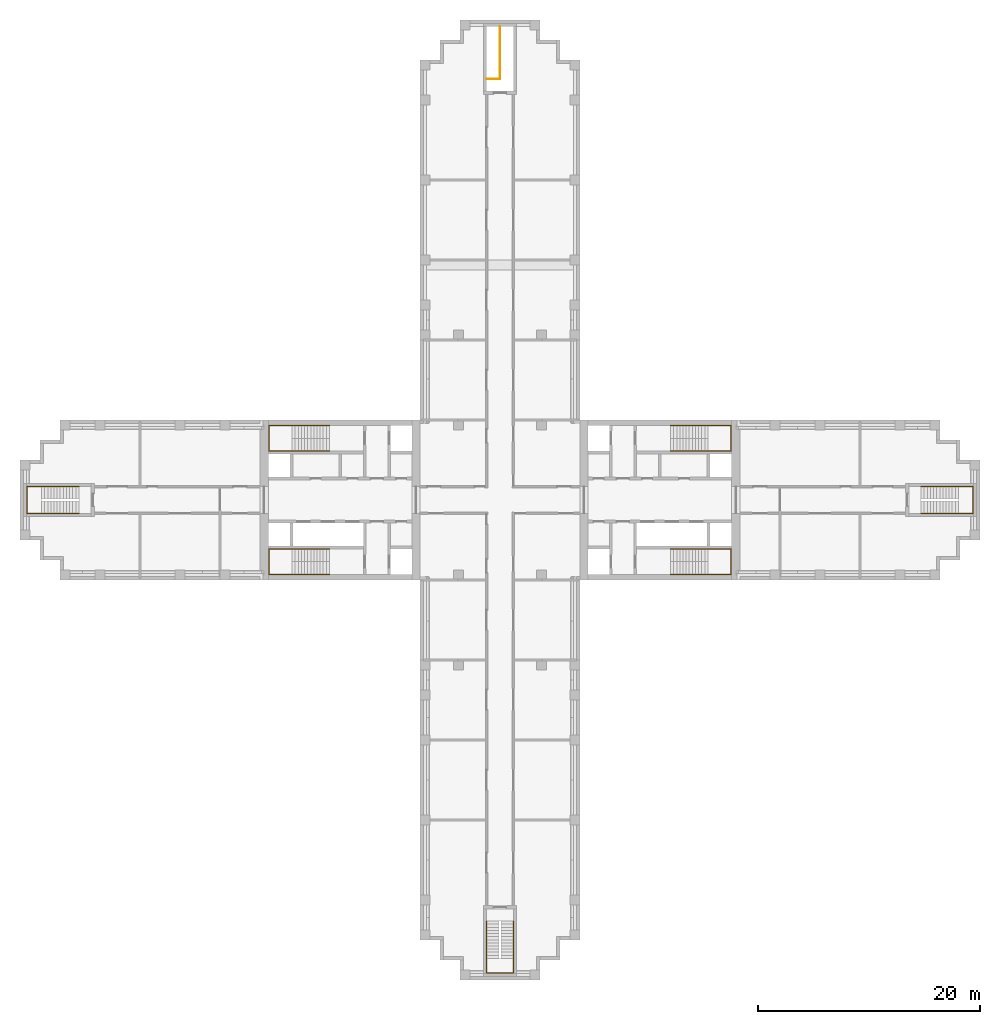
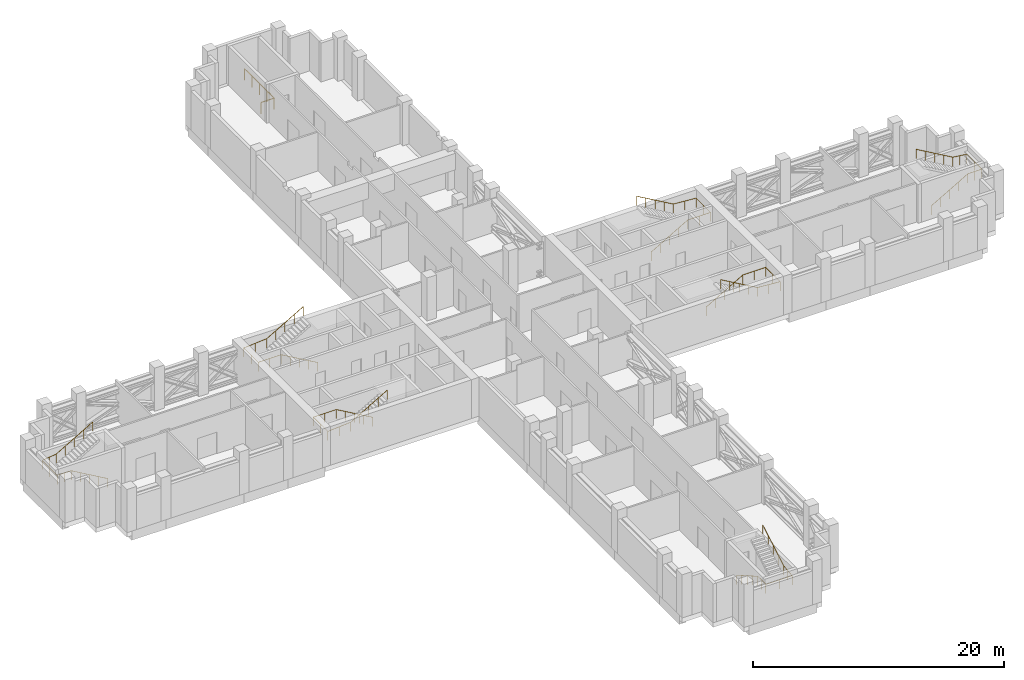
# One storey, part 10 of 10: 8 railings.
"""IFC4 building model written with IfcOpenShell, lengths in metres."""

from ifc_helpers import new_model, si_unit, direction, frame, origin, origin_2d, place, context, subcontext, project, spatial, circle, extrude, material, type_object, element, save


model = new_model("IFC4")

# Units and contexts
model_context = context("Model", 3, precision=1e-05, world=origin(), true_north=direction((0.0, 1.0)))
body_context = subcontext(model_context, "Body", "Model", "MODEL_VIEW")
ifc_project = project(units=[si_unit("LENGTHUNIT", "METRE"), si_unit("AREAUNIT", "SQUARE_METRE"), si_unit("VOLUMEUNIT", "CUBIC_METRE"), si_unit("PLANEANGLEUNIT", "RADIAN"), si_unit("MASSUNIT", "GRAM", prefix="KILO")], contexts=[model_context])

# Site, building, storey
site_placement = place(None, origin())
site = spatial("IfcSite", under=ifc_project, at=site_placement, CompositionType="ELEMENT")
building_placement = place(site_placement, origin())
building = spatial("IfcBuilding", under=site, at=building_placement, Name="Fustian Cross Tower", CompositionType="ELEMENT")
storey_placement = place(building_placement, frame((0.0, 0.0, 62.699951171875)))
storey = spatial("IfcBuildingStorey", under=building, at=storey_placement, Name="L19", CompositionType="ELEMENT", Elevation=62.699951171875)

# Railings
ifc_material_1 = material(Name="Stainless steel", Category="steel")
railing_type_1 = type_object("IfcRailingType", Name="STAIR GUARD", PredefinedType="GUARDRAIL", material=ifc_material_1)
railing_1_placement = place(storey_placement, frame((-1.199951171875, 37.89990234375, 0.0)))
element("IfcRailing", 1, at=railing_1_placement, inside=storey, type_object=railing_type_1, Name="Stair ST5 guard", PredefinedType="GUARDRAIL", context=body_context, shape_type="SweptSolid", body=[
    extrude(circle(Radius=0.02490234375, at=origin_2d()), frame((0.0, 0.0, 1.0751953125), z_axis=(1.0, 0.0, 0.0), x_axis=(0.0, 1.0, 0.0)), (0.0, 0.0, 1.0), 1.199951171875),
    extrude(circle(Radius=0.02490234375, at=origin_2d()), frame((1.199951171875, 0.0, 1.0751953125), z_axis=(0.0, 1.0, 0.0), x_axis=(-1.0, 0.0, 0.0)), (0.0, 0.0, 1.0), 4.7001953125),
    extrude(circle(Radius=0.02001953125, at=origin_2d()), origin(), (0.0, 0.0, 1.0), 1.050048828125),
    extrude(circle(Radius=0.02001953125, at=origin_2d()), frame((1.199951171875, 0.0, 0.0)), (0.0, 0.0, 1.0), 1.050048828125),
    extrude(circle(Radius=0.02001953125, at=origin_2d()), frame((1.199951171875, 1.175048828125, 0.0)), (0.0, 0.0, 1.0), 1.050048828125),
    extrude(circle(Radius=0.02001953125, at=origin_2d()), frame((1.199951171875, 2.35009765625, 0.0)), (0.0, 0.0, 1.0), 1.050048828125),
    extrude(circle(Radius=0.02001953125, at=origin_2d()), frame((1.199951171875, 3.525146484375, 0.0)), (0.0, 0.0, 1.0), 1.050048828125),
    extrude(circle(Radius=0.02001953125, at=origin_2d()), frame((1.199951171875, 4.7001953125, 0.0)), (0.0, 0.0, 1.0), 1.050048828125),
])
ifc_material_2 = material(Name="Stainless steel", Category="steel")
railing_type_2 = type_object("IfcRailingType", Name="STAIR HANDRAIL", PredefinedType="HANDRAIL", material=ifc_material_2)
railing_2_placement = place(storey_placement, frame((15.35009765625, 4.39990234375, 0.16162109375)))
element("IfcRailing", 2, at=railing_2_placement, inside=storey, type_object=railing_type_2, Name="Stair ST1 handrail 1", PredefinedType="HANDRAIL", context=body_context, shape_type="SweptSolid", body=[
    extrude(circle(Radius=0.02490234375, at=origin_2d()), frame((0.0, 0.0, 0.875), z_axis=(0.866175107563, 0.0, 0.499740615757), x_axis=(0.0, 1.0, 0.0)), (0.0, 0.0, 1.0), 3.87890625),
    extrude(circle(Radius=0.02490234375, at=origin_2d()), frame((3.35986328125, 0.0, 2.8134765625), z_axis=(1.0, 0.0, 0.0), x_axis=(0.0, 1.0, 0.0)), (0.0, 0.0, 1.0), 2.10009765625),
    extrude(circle(Radius=0.02490234375, at=origin_2d()), frame((5.4599609375, 0.0, 2.8134765625), z_axis=(0.0, 1.0, 0.0), x_axis=(-1.0, 0.0, 0.0)), (0.0, 0.0, 1.0), 2.300048828125),
    extrude(circle(Radius=0.02490234375, at=origin_2d()), frame((5.4599609375, 2.300048828125, 2.8134765625), z_axis=(-0.997060618739, 0.0, 0.076616725062), x_axis=(0.0, -1.0, 0.0)), (0.0, 0.0, 1.0), 2.106201171875),
    extrude(circle(Radius=0.02490234375, at=origin_2d()), frame((3.35986328125, 2.300048828125, 2.974609375), z_axis=(-0.866175107563, 0.0, 0.499740615757), x_axis=(0.0, -1.0, 0.0)), (0.0, 0.0, 1.0), 3.87890625),
    extrude(circle(Radius=0.02001953125, at=origin_2d()), origin(), (0.0, 0.0, 1.0), 0.849853515625),
    extrude(circle(Radius=0.02001953125, at=origin_2d()), frame((0.83984375, 0.0, 0.484619140625)), (0.0, 0.0, 1.0), 0.849853515625),
    extrude(circle(Radius=0.02001953125, at=origin_2d()), frame((1.679931640625, 0.0, 0.96923828125)), (0.0, 0.0, 1.0), 0.849853515625),
    extrude(circle(Radius=0.02001953125, at=origin_2d()), frame((2.52001953125, 0.0, 1.453857421875)), (0.0, 0.0, 1.0), 0.849853515625),
    extrude(circle(Radius=0.02001953125, at=origin_2d()), frame((3.35986328125, 0.0, 1.9384765625)), (0.0, 0.0, 1.0), 0.849853515625),
    extrude(circle(Radius=0.02001953125, at=origin_2d()), frame((4.409912109375, 0.0, 1.9384765625)), (0.0, 0.0, 1.0), 0.849853515625),
    extrude(circle(Radius=0.02001953125, at=origin_2d()), frame((5.4599609375, 0.0, 1.9384765625)), (0.0, 0.0, 1.0), 0.849853515625),
    extrude(circle(Radius=0.02001953125, at=origin_2d()), frame((5.4599609375, 1.14990234375, 1.9384765625)), (0.0, 0.0, 1.0), 0.849853515625),
    extrude(circle(Radius=0.02001953125, at=origin_2d()), frame((5.4599609375, 2.300048828125, 1.9384765625)), (0.0, 0.0, 1.0), 0.849853515625),
    extrude(circle(Radius=0.02001953125, at=origin_2d()), frame((4.409912109375, 2.300048828125, 2.01904296875)), (0.0, 0.0, 1.0), 0.849853515625),
    extrude(circle(Radius=0.02001953125, at=origin_2d()), frame((3.35986328125, 2.300048828125, 2.099853515625)), (0.0, 0.0, 1.0), 0.849853515625),
    extrude(circle(Radius=0.02001953125, at=origin_2d()), frame((2.52001953125, 2.300048828125, 2.58447265625)), (0.0, 0.0, 1.0), 0.849853515625),
    extrude(circle(Radius=0.02001953125, at=origin_2d()), frame((1.679931640625, 2.300048828125, 3.069091796875)), (0.0, 0.0, 1.0), 0.849853515625),
    extrude(circle(Radius=0.02001953125, at=origin_2d()), frame((0.83984375, 2.300048828125, 3.5537109375)), (0.0, 0.0, 1.0), 0.849853515625),
    extrude(circle(Radius=0.02001953125, at=origin_2d()), frame((0.0, 2.300048828125, 4.038330078125)), (0.0, 0.0, 1.0), 0.849853515625),
])
railing_3_placement = place(storey_placement, frame((15.35009765625, -4.39990234375, 0.16162109375)))
element("IfcRailing", 3, at=railing_3_placement, inside=storey, type_object=railing_type_2, Name="Stair ST2 handrail 1", PredefinedType="HANDRAIL", context=body_context, shape_type="SweptSolid", body=[
    extrude(circle(Radius=0.02490234375, at=origin_2d()), frame((0.0, 0.0, 0.875), z_axis=(0.866175107563, 0.0, 0.499740615757), x_axis=(0.0, 1.0, 0.0)), (0.0, 0.0, 1.0), 3.87890625),
    extrude(circle(Radius=0.02490234375, at=origin_2d()), frame((3.35986328125, 0.0, 2.8134765625), z_axis=(1.0, 0.0, 0.0), x_axis=(0.0, 1.0, 0.0)), (0.0, 0.0, 1.0), 2.10009765625),
    extrude(circle(Radius=0.02490234375, at=origin_2d()), frame((5.4599609375, 0.0, 2.8134765625), z_axis=(0.0, -1.0, 0.0), x_axis=(1.0, 0.0, 0.0)), (0.0, 0.0, 1.0), 2.300048828125),
    extrude(circle(Radius=0.02490234375, at=origin_2d()), frame((5.4599609375, -2.300048828125, 2.8134765625), z_axis=(-0.997060618739, 0.0, 0.076616725062), x_axis=(0.0, -1.0, 0.0)), (0.0, 0.0, 1.0), 2.106201171875),
    extrude(circle(Radius=0.02490234375, at=origin_2d()), frame((3.35986328125, -2.300048828125, 2.974609375), z_axis=(-0.866175107563, 0.0, 0.499740615757), x_axis=(0.0, -1.0, 0.0)), (0.0, 0.0, 1.0), 3.87890625),
    extrude(circle(Radius=0.02001953125, at=origin_2d()), origin(), (0.0, 0.0, 1.0), 0.849853515625),
    extrude(circle(Radius=0.02001953125, at=origin_2d()), frame((0.83984375, 0.0, 0.484619140625)), (0.0, 0.0, 1.0), 0.849853515625),
    extrude(circle(Radius=0.02001953125, at=origin_2d()), frame((1.679931640625, 0.0, 0.96923828125)), (0.0, 0.0, 1.0), 0.849853515625),
    extrude(circle(Radius=0.02001953125, at=origin_2d()), frame((2.52001953125, 0.0, 1.453857421875)), (0.0, 0.0, 1.0), 0.849853515625),
    extrude(circle(Radius=0.02001953125, at=origin_2d()), frame((3.35986328125, 0.0, 1.9384765625)), (0.0, 0.0, 1.0), 0.849853515625),
    extrude(circle(Radius=0.02001953125, at=origin_2d()), frame((4.409912109375, 0.0, 1.9384765625)), (0.0, 0.0, 1.0), 0.849853515625),
    extrude(circle(Radius=0.02001953125, at=origin_2d()), frame((5.4599609375, 0.0, 1.9384765625)), (0.0, 0.0, 1.0), 0.849853515625),
    extrude(circle(Radius=0.02001953125, at=origin_2d()), frame((5.4599609375, -1.14990234375, 1.9384765625)), (0.0, 0.0, 1.0), 0.849853515625),
    extrude(circle(Radius=0.02001953125, at=origin_2d()), frame((5.4599609375, -2.300048828125, 1.9384765625)), (0.0, 0.0, 1.0), 0.849853515625),
    extrude(circle(Radius=0.02001953125, at=origin_2d()), frame((4.409912109375, -2.300048828125, 2.01904296875)), (0.0, 0.0, 1.0), 0.849853515625),
    extrude(circle(Radius=0.02001953125, at=origin_2d()), frame((3.35986328125, -2.300048828125, 2.099853515625)), (0.0, 0.0, 1.0), 0.849853515625),
    extrude(circle(Radius=0.02001953125, at=origin_2d()), frame((2.52001953125, -2.300048828125, 2.58447265625)), (0.0, 0.0, 1.0), 0.849853515625),
    extrude(circle(Radius=0.02001953125, at=origin_2d()), frame((1.679931640625, -2.300048828125, 3.069091796875)), (0.0, 0.0, 1.0), 0.849853515625),
    extrude(circle(Radius=0.02001953125, at=origin_2d()), frame((0.83984375, -2.300048828125, 3.5537109375)), (0.0, 0.0, 1.0), 0.849853515625),
    extrude(circle(Radius=0.02001953125, at=origin_2d()), frame((0.0, -2.300048828125, 4.038330078125)), (0.0, 0.0, 1.0), 0.849853515625),
])
railing_4_placement = place(storey_placement, frame((-15.35009765625, 4.39990234375, 0.16162109375)))
element("IfcRailing", 4, at=railing_4_placement, inside=storey, type_object=railing_type_2, Name="Stair ST3 handrail 1", PredefinedType="HANDRAIL", context=body_context, shape_type="SweptSolid", body=[
    extrude(circle(Radius=0.02490234375, at=origin_2d()), frame((0.0, 0.0, 0.875), z_axis=(-0.866175107563, 0.0, 0.499740615757), x_axis=(0.0, -1.0, 0.0)), (0.0, 0.0, 1.0), 3.87890625),
    extrude(circle(Radius=0.02490234375, at=origin_2d()), frame((-3.35986328125, 0.0, 2.8134765625), z_axis=(-1.0, 0.0, 0.0), x_axis=(0.0, -1.0, 0.0)), (0.0, 0.0, 1.0), 2.10009765625),
    extrude(circle(Radius=0.02490234375, at=origin_2d()), frame((-5.4599609375, 0.0, 2.8134765625), z_axis=(0.0, 1.0, 0.0), x_axis=(-1.0, 0.0, 0.0)), (0.0, 0.0, 1.0), 2.300048828125),
    extrude(circle(Radius=0.02490234375, at=origin_2d()), frame((-5.4599609375, 2.300048828125, 2.8134765625), z_axis=(0.997060618739, 0.0, 0.076616725062), x_axis=(0.0, 1.0, 0.0)), (0.0, 0.0, 1.0), 2.106201171875),
    extrude(circle(Radius=0.02490234375, at=origin_2d()), frame((-3.35986328125, 2.300048828125, 2.974609375), z_axis=(0.866175107563, 0.0, 0.499740615757), x_axis=(0.0, 1.0, 0.0)), (0.0, 0.0, 1.0), 3.87890625),
    extrude(circle(Radius=0.02001953125, at=origin_2d()), origin(), (0.0, 0.0, 1.0), 0.849853515625),
    extrude(circle(Radius=0.02001953125, at=origin_2d()), frame((-0.83984375, 0.0, 0.484619140625)), (0.0, 0.0, 1.0), 0.849853515625),
    extrude(circle(Radius=0.02001953125, at=origin_2d()), frame((-1.679931640625, 0.0, 0.96923828125)), (0.0, 0.0, 1.0), 0.849853515625),
    extrude(circle(Radius=0.02001953125, at=origin_2d()), frame((-2.52001953125, 0.0, 1.453857421875)), (0.0, 0.0, 1.0), 0.849853515625),
    extrude(circle(Radius=0.02001953125, at=origin_2d()), frame((-3.35986328125, 0.0, 1.9384765625)), (0.0, 0.0, 1.0), 0.849853515625),
    extrude(circle(Radius=0.02001953125, at=origin_2d()), frame((-4.409912109375, 0.0, 1.9384765625)), (0.0, 0.0, 1.0), 0.849853515625),
    extrude(circle(Radius=0.02001953125, at=origin_2d()), frame((-5.4599609375, 0.0, 1.9384765625)), (0.0, 0.0, 1.0), 0.849853515625),
    extrude(circle(Radius=0.02001953125, at=origin_2d()), frame((-5.4599609375, 1.14990234375, 1.9384765625)), (0.0, 0.0, 1.0), 0.849853515625),
    extrude(circle(Radius=0.02001953125, at=origin_2d()), frame((-5.4599609375, 2.300048828125, 1.9384765625)), (0.0, 0.0, 1.0), 0.849853515625),
    extrude(circle(Radius=0.02001953125, at=origin_2d()), frame((-4.409912109375, 2.300048828125, 2.01904296875)), (0.0, 0.0, 1.0), 0.849853515625),
    extrude(circle(Radius=0.02001953125, at=origin_2d()), frame((-3.35986328125, 2.300048828125, 2.099853515625)), (0.0, 0.0, 1.0), 0.849853515625),
    extrude(circle(Radius=0.02001953125, at=origin_2d()), frame((-2.52001953125, 2.300048828125, 2.58447265625)), (0.0, 0.0, 1.0), 0.849853515625),
    extrude(circle(Radius=0.02001953125, at=origin_2d()), frame((-1.679931640625, 2.300048828125, 3.069091796875)), (0.0, 0.0, 1.0), 0.849853515625),
    extrude(circle(Radius=0.02001953125, at=origin_2d()), frame((-0.83984375, 2.300048828125, 3.5537109375)), (0.0, 0.0, 1.0), 0.849853515625),
    extrude(circle(Radius=0.02001953125, at=origin_2d()), frame((0.0, 2.300048828125, 4.038330078125)), (0.0, 0.0, 1.0), 0.849853515625),
])
railing_5_placement = place(storey_placement, frame((-15.35009765625, -4.39990234375, 0.16162109375)))
element("IfcRailing", 5, at=railing_5_placement, inside=storey, type_object=railing_type_2, Name="Stair ST4 handrail 1", PredefinedType="HANDRAIL", context=body_context, shape_type="SweptSolid", body=[
    extrude(circle(Radius=0.02490234375, at=origin_2d()), frame((0.0, 0.0, 0.875), z_axis=(-0.866175107563, 0.0, 0.499740615757), x_axis=(0.0, -1.0, 0.0)), (0.0, 0.0, 1.0), 3.87890625),
    extrude(circle(Radius=0.02490234375, at=origin_2d()), frame((-3.35986328125, 0.0, 2.8134765625), z_axis=(-1.0, 0.0, 0.0), x_axis=(0.0, -1.0, 0.0)), (0.0, 0.0, 1.0), 2.10009765625),
    extrude(circle(Radius=0.02490234375, at=origin_2d()), frame((-5.4599609375, 0.0, 2.8134765625), z_axis=(0.0, -1.0, 0.0), x_axis=(1.0, 0.0, 0.0)), (0.0, 0.0, 1.0), 2.300048828125),
    extrude(circle(Radius=0.02490234375, at=origin_2d()), frame((-5.4599609375, -2.300048828125, 2.8134765625), z_axis=(0.997060618739, 0.0, 0.076616725062), x_axis=(0.0, 1.0, 0.0)), (0.0, 0.0, 1.0), 2.106201171875),
    extrude(circle(Radius=0.02490234375, at=origin_2d()), frame((-3.35986328125, -2.300048828125, 2.974609375), z_axis=(0.866175107563, 0.0, 0.499740615757), x_axis=(0.0, 1.0, 0.0)), (0.0, 0.0, 1.0), 3.87890625),
    extrude(circle(Radius=0.02001953125, at=origin_2d()), origin(), (0.0, 0.0, 1.0), 0.849853515625),
    extrude(circle(Radius=0.02001953125, at=origin_2d()), frame((-0.83984375, 0.0, 0.484619140625)), (0.0, 0.0, 1.0), 0.849853515625),
    extrude(circle(Radius=0.02001953125, at=origin_2d()), frame((-1.679931640625, 0.0, 0.96923828125)), (0.0, 0.0, 1.0), 0.849853515625),
    extrude(circle(Radius=0.02001953125, at=origin_2d()), frame((-2.52001953125, 0.0, 1.453857421875)), (0.0, 0.0, 1.0), 0.849853515625),
    extrude(circle(Radius=0.02001953125, at=origin_2d()), frame((-3.35986328125, 0.0, 1.9384765625)), (0.0, 0.0, 1.0), 0.849853515625),
    extrude(circle(Radius=0.02001953125, at=origin_2d()), frame((-4.409912109375, 0.0, 1.9384765625)), (0.0, 0.0, 1.0), 0.849853515625),
    extrude(circle(Radius=0.02001953125, at=origin_2d()), frame((-5.4599609375, 0.0, 1.9384765625)), (0.0, 0.0, 1.0), 0.849853515625),
    extrude(circle(Radius=0.02001953125, at=origin_2d()), frame((-5.4599609375, -1.14990234375, 1.9384765625)), (0.0, 0.0, 1.0), 0.849853515625),
    extrude(circle(Radius=0.02001953125, at=origin_2d()), frame((-5.4599609375, -2.300048828125, 1.9384765625)), (0.0, 0.0, 1.0), 0.849853515625),
    extrude(circle(Radius=0.02001953125, at=origin_2d()), frame((-4.409912109375, -2.300048828125, 2.01904296875)), (0.0, 0.0, 1.0), 0.849853515625),
    extrude(circle(Radius=0.02001953125, at=origin_2d()), frame((-3.35986328125, -2.300048828125, 2.099853515625)), (0.0, 0.0, 1.0), 0.849853515625),
    extrude(circle(Radius=0.02001953125, at=origin_2d()), frame((-2.52001953125, -2.300048828125, 2.58447265625)), (0.0, 0.0, 1.0), 0.849853515625),
    extrude(circle(Radius=0.02001953125, at=origin_2d()), frame((-1.679931640625, -2.300048828125, 3.069091796875)), (0.0, 0.0, 1.0), 0.849853515625),
    extrude(circle(Radius=0.02001953125, at=origin_2d()), frame((-0.83984375, -2.300048828125, 3.5537109375)), (0.0, 0.0, 1.0), 0.849853515625),
    extrude(circle(Radius=0.02001953125, at=origin_2d()), frame((0.0, -2.300048828125, 4.038330078125)), (0.0, 0.0, 1.0), 0.849853515625),
])
railing_6_placement = place(storey_placement, frame((-1.199951171875, -37.89990234375, 0.16162109375)))
element("IfcRailing", 6, at=railing_6_placement, inside=storey, type_object=railing_type_2, Name="Stair ST6 handrail 1", PredefinedType="HANDRAIL", context=body_context, shape_type="SweptSolid", body=[
    extrude(circle(Radius=0.02490234375, at=origin_2d()), frame((0.0, 0.0, 0.875), z_axis=(0.0, -0.866190824863, 0.499713372768), x_axis=(1.0, 0.0, 0.0)), (0.0, 0.0, 1.0), 3.879150390625),
    extrude(circle(Radius=0.02490234375, at=origin_2d()), frame((0.0, -3.360107421875, 2.8134765625), z_axis=(0.0, -1.0, 0.0), x_axis=(1.0, 0.0, 0.0)), (0.0, 0.0, 1.0), 1.300048828125),
    extrude(circle(Radius=0.02490234375, at=origin_2d()), frame((0.0, -4.66015625, 2.8134765625), z_axis=(1.0, 0.0, 0.0), x_axis=(0.0, 1.0, 0.0)), (0.0, 0.0, 1.0), 2.39990234375),
    extrude(circle(Radius=0.02490234375, at=origin_2d()), frame((2.39990234375, -4.66015625, 2.8134765625), z_axis=(0.0, 0.992383597412, 0.123186020261), x_axis=(-1.0, 0.0, 0.0)), (0.0, 0.0, 1.0), 1.31005859375),
    extrude(circle(Radius=0.02490234375, at=origin_2d()), frame((2.39990234375, -3.360107421875, 2.974609375), z_axis=(0.0, 0.866190824863, 0.499713372768), x_axis=(-1.0, 0.0, 0.0)), (0.0, 0.0, 1.0), 3.879150390625),
    extrude(circle(Radius=0.02001953125, at=origin_2d()), origin(), (0.0, 0.0, 1.0), 0.849853515625),
    extrude(circle(Radius=0.02001953125, at=origin_2d()), frame((0.0, -0.840087890625, 0.484619140625)), (0.0, 0.0, 1.0), 0.849853515625),
    extrude(circle(Radius=0.02001953125, at=origin_2d()), frame((0.0, -1.68017578125, 0.96923828125)), (0.0, 0.0, 1.0), 0.849853515625),
    extrude(circle(Radius=0.02001953125, at=origin_2d()), frame((0.0, -2.52001953125, 1.453857421875)), (0.0, 0.0, 1.0), 0.849853515625),
    extrude(circle(Radius=0.02001953125, at=origin_2d()), frame((0.0, -3.360107421875, 1.9384765625)), (0.0, 0.0, 1.0), 0.849853515625),
    extrude(circle(Radius=0.02001953125, at=origin_2d()), frame((0.0, -4.01025390625, 1.9384765625)), (0.0, 0.0, 1.0), 0.849853515625),
    extrude(circle(Radius=0.02001953125, at=origin_2d()), frame((0.0, -4.66015625, 1.9384765625)), (0.0, 0.0, 1.0), 0.849853515625),
    extrude(circle(Radius=0.02001953125, at=origin_2d()), frame((1.199951171875, -4.66015625, 1.9384765625)), (0.0, 0.0, 1.0), 0.849853515625),
    extrude(circle(Radius=0.02001953125, at=origin_2d()), frame((2.39990234375, -4.66015625, 1.9384765625)), (0.0, 0.0, 1.0), 0.849853515625),
    extrude(circle(Radius=0.02001953125, at=origin_2d()), frame((2.39990234375, -4.01025390625, 2.01904296875)), (0.0, 0.0, 1.0), 0.849853515625),
    extrude(circle(Radius=0.02001953125, at=origin_2d()), frame((2.39990234375, -3.360107421875, 2.099853515625)), (0.0, 0.0, 1.0), 0.849853515625),
    extrude(circle(Radius=0.02001953125, at=origin_2d()), frame((2.39990234375, -2.52001953125, 2.58447265625)), (0.0, 0.0, 1.0), 0.849853515625),
    extrude(circle(Radius=0.02001953125, at=origin_2d()), frame((2.39990234375, -1.68017578125, 3.069091796875)), (0.0, 0.0, 1.0), 0.849853515625),
    extrude(circle(Radius=0.02001953125, at=origin_2d()), frame((2.39990234375, -0.840087890625, 3.5537109375)), (0.0, 0.0, 1.0), 0.849853515625),
    extrude(circle(Radius=0.02001953125, at=origin_2d()), frame((2.39990234375, 0.0, 4.038330078125)), (0.0, 0.0, 1.0), 0.849853515625),
])
railing_7_placement = place(storey_placement, frame((37.89990234375, -1.199951171875, 0.16162109375)))
element("IfcRailing", 7, at=railing_7_placement, inside=storey, type_object=railing_type_2, Name="Stair ST8 handrail 1", PredefinedType="HANDRAIL", context=body_context, shape_type="SweptSolid", body=[
    extrude(circle(Radius=0.02490234375, at=origin_2d()), frame((0.0, 0.0, 0.875), z_axis=(0.866190824863, 0.0, 0.499713372768), x_axis=(0.0, 1.0, 0.0)), (0.0, 0.0, 1.0), 3.879150390625),
    extrude(circle(Radius=0.02490234375, at=origin_2d()), frame((3.360107421875, 0.0, 2.8134765625), z_axis=(1.0, 0.0, 0.0), x_axis=(0.0, 1.0, 0.0)), (0.0, 0.0, 1.0), 1.300048828125),
    extrude(circle(Radius=0.02490234375, at=origin_2d()), frame((4.66015625, 0.0, 2.8134765625), z_axis=(0.0, 1.0, 0.0), x_axis=(-1.0, 0.0, 0.0)), (0.0, 0.0, 1.0), 2.39990234375),
    extrude(circle(Radius=0.02490234375, at=origin_2d()), frame((4.66015625, 2.39990234375, 2.8134765625), z_axis=(-0.992383597412, 0.0, 0.123186020261), x_axis=(0.0, -1.0, 0.0)), (0.0, 0.0, 1.0), 1.31005859375),
    extrude(circle(Radius=0.02490234375, at=origin_2d()), frame((3.360107421875, 2.39990234375, 2.974609375), z_axis=(-0.866190824863, 0.0, 0.499713372768), x_axis=(0.0, -1.0, 0.0)), (0.0, 0.0, 1.0), 3.879150390625),
    extrude(circle(Radius=0.02001953125, at=origin_2d()), origin(), (0.0, 0.0, 1.0), 0.849853515625),
    extrude(circle(Radius=0.02001953125, at=origin_2d()), frame((0.840087890625, 0.0, 0.484619140625)), (0.0, 0.0, 1.0), 0.849853515625),
    extrude(circle(Radius=0.02001953125, at=origin_2d()), frame((1.68017578125, 0.0, 0.96923828125)), (0.0, 0.0, 1.0), 0.849853515625),
    extrude(circle(Radius=0.02001953125, at=origin_2d()), frame((2.52001953125, 0.0, 1.453857421875)), (0.0, 0.0, 1.0), 0.849853515625),
    extrude(circle(Radius=0.02001953125, at=origin_2d()), frame((3.360107421875, 0.0, 1.9384765625)), (0.0, 0.0, 1.0), 0.849853515625),
    extrude(circle(Radius=0.02001953125, at=origin_2d()), frame((4.01025390625, 0.0, 1.9384765625)), (0.0, 0.0, 1.0), 0.849853515625),
    extrude(circle(Radius=0.02001953125, at=origin_2d()), frame((4.66015625, 0.0, 1.9384765625)), (0.0, 0.0, 1.0), 0.849853515625),
    extrude(circle(Radius=0.02001953125, at=origin_2d()), frame((4.66015625, 1.199951171875, 1.9384765625)), (0.0, 0.0, 1.0), 0.849853515625),
    extrude(circle(Radius=0.02001953125, at=origin_2d()), frame((4.66015625, 2.39990234375, 1.9384765625)), (0.0, 0.0, 1.0), 0.849853515625),
    extrude(circle(Radius=0.02001953125, at=origin_2d()), frame((4.01025390625, 2.39990234375, 2.01904296875)), (0.0, 0.0, 1.0), 0.849853515625),
    extrude(circle(Radius=0.02001953125, at=origin_2d()), frame((3.360107421875, 2.39990234375, 2.099853515625)), (0.0, 0.0, 1.0), 0.849853515625),
    extrude(circle(Radius=0.02001953125, at=origin_2d()), frame((2.52001953125, 2.39990234375, 2.58447265625)), (0.0, 0.0, 1.0), 0.849853515625),
    extrude(circle(Radius=0.02001953125, at=origin_2d()), frame((1.68017578125, 2.39990234375, 3.069091796875)), (0.0, 0.0, 1.0), 0.849853515625),
    extrude(circle(Radius=0.02001953125, at=origin_2d()), frame((0.840087890625, 2.39990234375, 3.5537109375)), (0.0, 0.0, 1.0), 0.849853515625),
    extrude(circle(Radius=0.02001953125, at=origin_2d()), frame((0.0, 2.39990234375, 4.038330078125)), (0.0, 0.0, 1.0), 0.849853515625),
])
railing_8_placement = place(storey_placement, frame((-37.89990234375, -1.199951171875, 0.16162109375)))
element("IfcRailing", 8, at=railing_8_placement, inside=storey, type_object=railing_type_2, Name="Stair ST9 handrail 1", PredefinedType="HANDRAIL", context=body_context, shape_type="SweptSolid", body=[
    extrude(circle(Radius=0.02490234375, at=origin_2d()), frame((0.0, 0.0, 0.875), z_axis=(-0.866190824863, 0.0, 0.499713372768), x_axis=(0.0, -1.0, 0.0)), (0.0, 0.0, 1.0), 3.879150390625),
    extrude(circle(Radius=0.02490234375, at=origin_2d()), frame((-3.360107421875, 0.0, 2.8134765625), z_axis=(-1.0, 0.0, 0.0), x_axis=(0.0, -1.0, 0.0)), (0.0, 0.0, 1.0), 1.300048828125),
    extrude(circle(Radius=0.02490234375, at=origin_2d()), frame((-4.66015625, 0.0, 2.8134765625), z_axis=(0.0, 1.0, 0.0), x_axis=(-1.0, 0.0, 0.0)), (0.0, 0.0, 1.0), 2.39990234375),
    extrude(circle(Radius=0.02490234375, at=origin_2d()), frame((-4.66015625, 2.39990234375, 2.8134765625), z_axis=(0.992383597412, 0.0, 0.123186020261), x_axis=(0.0, 1.0, 0.0)), (0.0, 0.0, 1.0), 1.31005859375),
    extrude(circle(Radius=0.02490234375, at=origin_2d()), frame((-3.360107421875, 2.39990234375, 2.974609375), z_axis=(0.866190824863, 0.0, 0.499713372768), x_axis=(0.0, 1.0, 0.0)), (0.0, 0.0, 1.0), 3.879150390625),
    extrude(circle(Radius=0.02001953125, at=origin_2d()), origin(), (0.0, 0.0, 1.0), 0.849853515625),
    extrude(circle(Radius=0.02001953125, at=origin_2d()), frame((-0.840087890625, 0.0, 0.484619140625)), (0.0, 0.0, 1.0), 0.849853515625),
    extrude(circle(Radius=0.02001953125, at=origin_2d()), frame((-1.68017578125, 0.0, 0.96923828125)), (0.0, 0.0, 1.0), 0.849853515625),
    extrude(circle(Radius=0.02001953125, at=origin_2d()), frame((-2.52001953125, 0.0, 1.453857421875)), (0.0, 0.0, 1.0), 0.849853515625),
    extrude(circle(Radius=0.02001953125, at=origin_2d()), frame((-3.360107421875, 0.0, 1.9384765625)), (0.0, 0.0, 1.0), 0.849853515625),
    extrude(circle(Radius=0.02001953125, at=origin_2d()), frame((-4.01025390625, 0.0, 1.9384765625)), (0.0, 0.0, 1.0), 0.849853515625),
    extrude(circle(Radius=0.02001953125, at=origin_2d()), frame((-4.66015625, 0.0, 1.9384765625)), (0.0, 0.0, 1.0), 0.849853515625),
    extrude(circle(Radius=0.02001953125, at=origin_2d()), frame((-4.66015625, 1.199951171875, 1.9384765625)), (0.0, 0.0, 1.0), 0.849853515625),
    extrude(circle(Radius=0.02001953125, at=origin_2d()), frame((-4.66015625, 2.39990234375, 1.9384765625)), (0.0, 0.0, 1.0), 0.849853515625),
    extrude(circle(Radius=0.02001953125, at=origin_2d()), frame((-4.01025390625, 2.39990234375, 2.01904296875)), (0.0, 0.0, 1.0), 0.849853515625),
    extrude(circle(Radius=0.02001953125, at=origin_2d()), frame((-3.360107421875, 2.39990234375, 2.099853515625)), (0.0, 0.0, 1.0), 0.849853515625),
    extrude(circle(Radius=0.02001953125, at=origin_2d()), frame((-2.52001953125, 2.39990234375, 2.58447265625)), (0.0, 0.0, 1.0), 0.849853515625),
    extrude(circle(Radius=0.02001953125, at=origin_2d()), frame((-1.68017578125, 2.39990234375, 3.069091796875)), (0.0, 0.0, 1.0), 0.849853515625),
    extrude(circle(Radius=0.02001953125, at=origin_2d()), frame((-0.840087890625, 2.39990234375, 3.5537109375)), (0.0, 0.0, 1.0), 0.849853515625),
    extrude(circle(Radius=0.02001953125, at=origin_2d()), frame((0.0, 2.39990234375, 4.038330078125)), (0.0, 0.0, 1.0), 0.849853515625),
])

save(model, "model.ifc")
